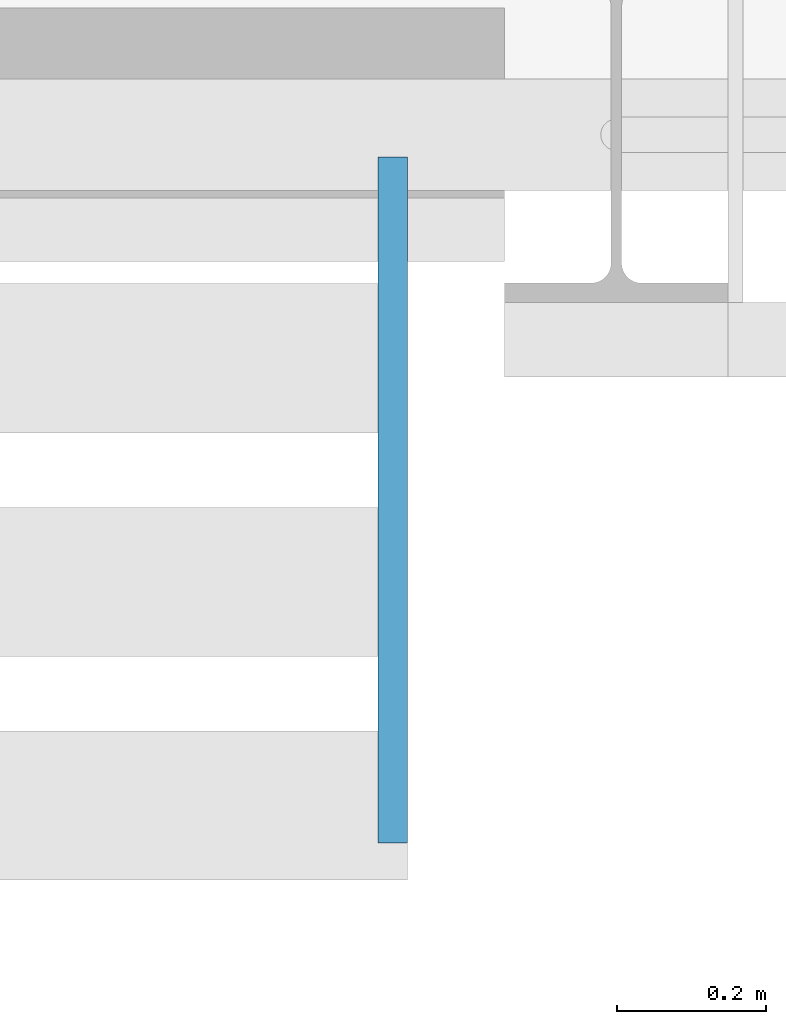
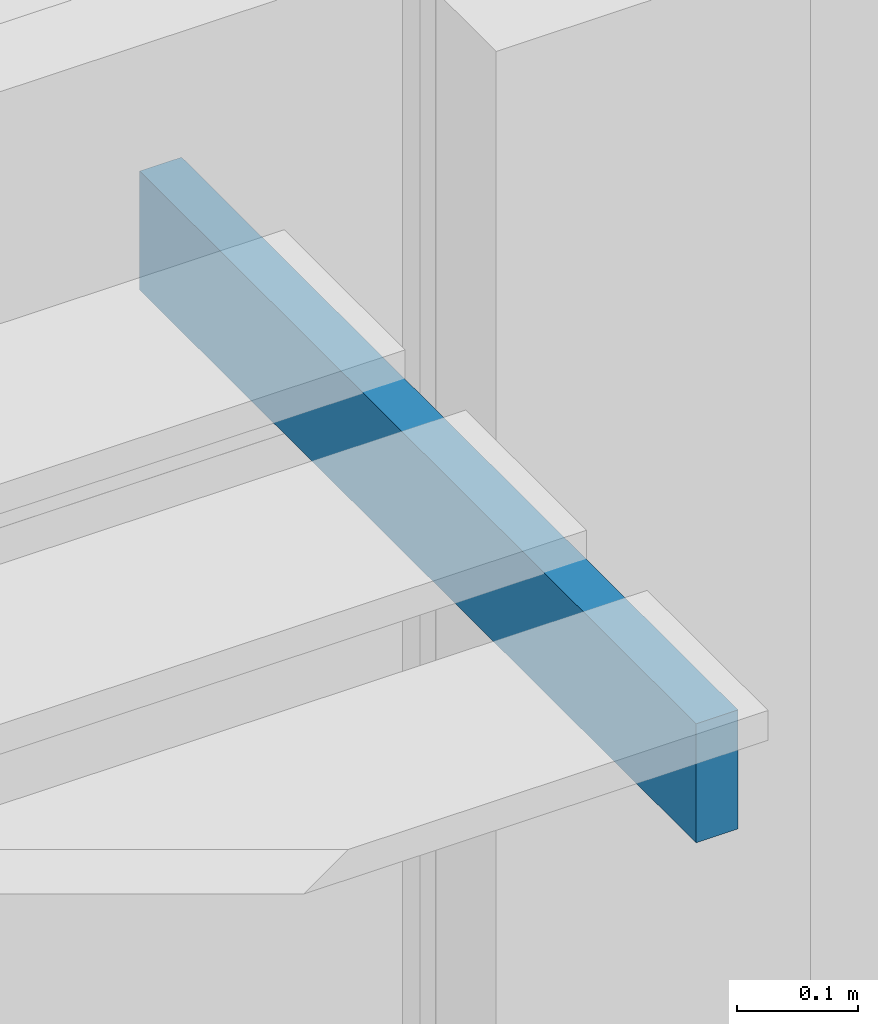
# One storey, part 65 of 110: 1 discrete accessory.
"""IFC4 building model written with IfcOpenShell, lengths in metres."""

import ifcopenshell
import ifcopenshell.guid

model = None  # the IFC model being written
_history = None  # IfcOwnerHistory: only IFC2X3 demands one
_inside = {}  # id of a spatial element -> (the spatial element, [elements in it])
_under = {}  # id of a project, library or spatial element -> (it, [spatial elements below it])
_declared = {}  # id of a project -> (the project, [libraries it declares])
_typed = {}  # id of a type object -> (the type object, [elements of that type])
_made_of = {}  # id of a material, layer set ... -> (it, [elements and type objects made of it])


def new_model(schema):
    """Start an empty IFC model of exactly this schema.

    Asked for "IFC4X3", IfcOpenShell would pick the latest addendum, in which some entities
    have other attributes; the version numbers below select the first issue.
    IFC2X3 requires an IfcOwnerHistory on every rooted entity: one is made here for all.
    """
    global model, _history
    if schema == "IFC4X3":
        model = ifcopenshell.file(schema_version=(4, 3, 0, 0))
    else:
        model = ifcopenshell.file(schema=schema)
    _inside.clear()
    _under.clear()
    _declared.clear()
    _typed.clear()
    _made_of.clear()
    _history = None
    if model.schema == "IFC2X3":
        org = make("IfcOrganization", Name="unknown")
        user = make(
            "IfcPersonAndOrganization",
            ThePerson=make("IfcPerson", FamilyName="unknown"),
            TheOrganization=org,
        )
        app = make(
            "IfcApplication",
            ApplicationDeveloper=org,
            Version="unknown",
            ApplicationFullName="unknown",
            ApplicationIdentifier="unknown",
        )
        _history = make(
            "IfcOwnerHistory",
            OwningUser=user,
            OwningApplication=app,
            ChangeAction="ADDED",
            CreationDate=0,
        )
    return model


def make(cls, **values):
    """One entity of the class cls with the attributes given. An attribute that is None is left unset."""
    return model.create_entity(
        cls, **{name: value for name, value in values.items() if value is not None}
    )


def rooted(cls, **values):
    """An entity with a GlobalId (a new one), such as an element, a storey or a relation."""
    return make(cls, GlobalId=ifcopenshell.guid.new(), OwnerHistory=_history, **values)


def si_unit(unit_type, name, prefix=None):
    """IfcSIUnit, for example si_unit("LENGTHUNIT", "METRE", prefix="MILLI")."""
    return make("IfcSIUnit", UnitType=unit_type, Prefix=prefix, Name=name)


def assignment(units):
    """IfcUnitAssignment: the units of a project."""
    return None if units is None else make("IfcUnitAssignment", Units=units)


def point(xyz):
    """IfcCartesianPoint."""
    return None if xyz is None else make("IfcCartesianPoint", Coordinates=xyz)


def direction(xyz):
    """IfcDirection."""
    return None if xyz is None else make("IfcDirection", DirectionRatios=xyz)


def frame(location, z_axis=None, x_axis=None):
    """IfcAxis2Placement3D, a coordinate frame: its origin and axes. An axis left out is left unset."""
    return make(
        "IfcAxis2Placement3D",
        Location=point(location),
        Axis=direction(z_axis),
        RefDirection=direction(x_axis),
    )


def frame_2d(location, x_axis=None):
    """IfcAxis2Placement2D, a coordinate frame in the plane: its origin and x axis."""
    return make(
        "IfcAxis2Placement2D", Location=point(location), RefDirection=direction(x_axis)
    )


def origin():
    """The frame at (0, 0, 0) with its axes left unset."""
    return frame((0.0, 0.0, 0.0))


def origin_2d():
    """The frame at (0, 0) in the plane with its x axis left unset."""
    return frame_2d((0.0, 0.0))


def place(relative_to, where):
    """IfcLocalPlacement: puts the frame where relative to a parent placement (None: the world)."""
    return make(
        "IfcLocalPlacement", PlacementRelTo=relative_to, RelativePlacement=where
    )


def context(
    kind, dimensions, precision=None, world=None, true_north=None, identifier=None
):
    """IfcGeometricRepresentationContext, for example the 3D "Model" context."""
    return make(
        "IfcGeometricRepresentationContext",
        ContextIdentifier=identifier,
        ContextType=kind,
        CoordinateSpaceDimension=dimensions,
        Precision=precision,
        WorldCoordinateSystem=world,
        TrueNorth=true_north,
    )


def subcontext(parent, identifier, kind, view, scale=None):
    """IfcGeometricRepresentationSubContext, for example "Body" below "Model"."""
    return make(
        "IfcGeometricRepresentationSubContext",
        ContextIdentifier=identifier,
        ContextType=kind,
        ParentContext=parent,
        TargetScale=scale,
        TargetView=view,
    )


def project(units=None, contexts=None):
    """IfcProject with its units and contexts."""
    return rooted(
        "IfcProject",
        Name="project",
        RepresentationContexts=contexts,
        UnitsInContext=assignment(units),
    )


def spatial(cls, under=None, at=None, **own):
    """A site, building, storey or space (cls), placed at a placement, below another one or the project."""
    s = rooted(cls, ObjectPlacement=at, **own)
    if under is not None:
        _under.setdefault(under.id(), (under, []))[1].append(s)
    return s


def profile(cls, at=None, kind="AREA", **sizes):
    """A parametric profile (cls). Its sizes go by their IFC names, for example OverallWidth=200.0."""
    return make(cls, ProfileType=kind, Position=at, **sizes)


def rectangle(**sizes):
    """IfcRectangleProfileDef."""
    return profile("IfcRectangleProfileDef", **sizes)


def extrude(swept, where, along, depth):
    """IfcExtrudedAreaSolid: the profile swept, set in the frame where, extruded along a direction by depth."""
    return make(
        "IfcExtrudedAreaSolid",
        SweptArea=swept,
        Position=where,
        ExtrudedDirection=direction(along),
        Depth=depth,
    )


def shape(context_of_items, identifier, shape_type, items):
    """IfcShapeRepresentation: the items that make up one representation, for example the "Body"."""
    return make(
        "IfcShapeRepresentation",
        ContextOfItems=context_of_items,
        RepresentationIdentifier=identifier,
        RepresentationType=shape_type,
        Items=items,
    )


def material(Name=None, Category=None):
    """IfcMaterial."""
    return make("IfcMaterial", Name=Name, Category=Category)


def layer(
    of_material, thickness, ventilated=None, Name=None, Category=None, Priority=None
):
    """IfcMaterialLayer: one layer of a wall or slab, of a material (None: an air gap)."""
    return make(
        "IfcMaterialLayer",
        Material=of_material,
        LayerThickness=thickness,
        IsVentilated=ventilated,
        Name=Name,
        Category=Category,
        Priority=Priority,
    )


def layer_set(layers, Name=None):
    """IfcMaterialLayerSet."""
    return make("IfcMaterialLayerSet", MaterialLayers=layers, LayerSetName=Name)


def made_of(thing, what):
    """Note that an element or type object is made of a material, layer set ...; save() writes the relation."""
    if what is not None:
        _made_of.setdefault(what.id(), (what, []))[1].append(thing)
    return thing


def type_object(cls, material=None, **own):
    """A type object (cls), such as IfcWallType, which elements share."""
    return made_of(rooted(cls, **own), material)


def element(
    cls,
    number,
    at=None,
    inside=None,
    cuts=None,
    type_object=None,
    material=None,
    context=None,
    identifier="Body",
    shape_type=None,
    held_by="IfcProductDefinitionShape",
    body=None,
    shapes=None,
    **own,
):
    """One element of the class cls, such as IfcWall. Its Tag is "e" and its number.

    at: its placement. inside: the storey or other place that contains it. cuts: it is an
    opening in that element (IfcRelVoidsElement). A single representation is given by context,
    identifier, shape_type and body (its items); several are given by shapes. held_by: the class
    of the entity that holds the representations. save() writes the other relations.
    """
    e = rooted(cls, Tag="e%d" % number, ObjectPlacement=at, **own)
    if body is not None:
        shapes = [shape(context, identifier, shape_type, body)]
    if shapes is not None:
        e.Representation = make(held_by, Representations=shapes)
    if inside is not None:
        _inside.setdefault(inside.id(), (inside, []))[1].append(e)
    if cuts is not None:
        rooted(
            "IfcRelVoidsElement", RelatingBuildingElement=cuts, RelatedOpeningElement=e
        )
    if type_object is not None:
        _typed.setdefault(type_object.id(), (type_object, []))[1].append(e)
    return made_of(e, material)


def aggregate(whole, parts):
    """IfcRelAggregates: a whole, such as a stair, and the parts it consists of."""
    return rooted("IfcRelAggregates", RelatingObject=whole, RelatedObjects=parts)


def save(model, path):
    """Write the relations noted so far, then the file.

    IfcRelAggregates (storeys below a building ...), IfcRelContainedInSpatialStructure (elements
    in a storey), IfcRelDefinesByType, IfcRelAssociatesMaterial and IfcRelDeclares: one each for
    every whole, place, type object, material and project.
    """
    for whole, parts in _under.values():
        aggregate(whole, parts)
    for where, things in _inside.values():
        rooted(
            "IfcRelContainedInSpatialStructure",
            RelatedElements=things,
            RelatingStructure=where,
        )
    for kind, things in _typed.values():
        rooted("IfcRelDefinesByType", RelatedObjects=things, RelatingType=kind)
    for what, things in _made_of.values():
        rooted("IfcRelAssociatesMaterial", RelatedObjects=things, RelatingMaterial=what)
    for by, libraries in _declared.values():
        rooted("IfcRelDeclares", RelatingContext=by, RelatedDefinitions=libraries)
    model.write(path)


model = new_model("IFC4")

# Units and contexts
model_context = context("Model", 3, precision=1e-05, world=origin(), true_north=direction((0.0, 1.0)))
body_context = subcontext(model_context, "Body", "Model", "MODEL_VIEW")
ifc_project = project(units=[si_unit("LENGTHUNIT", "METRE"), si_unit("AREAUNIT", "SQUARE_METRE"), si_unit("VOLUMEUNIT", "CUBIC_METRE"), si_unit("PLANEANGLEUNIT", "RADIAN"), si_unit("MASSUNIT", "GRAM", prefix="KILO")], contexts=[model_context])

# Site, building, storey
site_placement = place(None, origin())
site = spatial("IfcSite", under=ifc_project, at=site_placement, CompositionType="ELEMENT")
building_placement = place(site_placement, origin())
building = spatial("IfcBuilding", under=site, at=building_placement, Name="Kupolbacken Congress Centre", CompositionType="ELEMENT")
storey_placement = place(building_placement, frame((0.0, 0.0, 18.0)))
storey = spatial("IfcBuildingStorey", under=building, at=storey_placement, Name="L05", CompositionType="ELEMENT", Elevation=18.0)

# Discrete accessory
ifc_material = material(Name="Steel S355", Category="steel")
ifc_layer = layer(ifc_material, 0.011962890625)
ifc_layer_set = layer_set([ifc_layer], Name="Steel S355")
discrete_accessory_type = type_object("IfcDiscreteAccessoryType", Name="BK1 bracket 150 x 150 x 12", PredefinedType="BRACKET", material=ifc_layer_set)
discrete_accessory_placement = place(storey_placement, frame((136.5, 121.909912109375, 3.239990234375), z_axis=(0.0, 0.0, 1.0), x_axis=(1.0, 0.0, 0.0)))
element("IfcDiscreteAccessory", 1, at=discrete_accessory_placement, inside=storey, type_object=discrete_accessory_type, Name="Brise-soleil arm", PredefinedType="BRACKET", context=body_context, shape_type="SweptSolid", body=[
    extrude(rectangle(XDim=0.0400390625, YDim=0.919921875, at=origin_2d()), origin(), (0.0, 0.0, 1.0), 0.1201171875),
])

save(model, "model.ifc")
